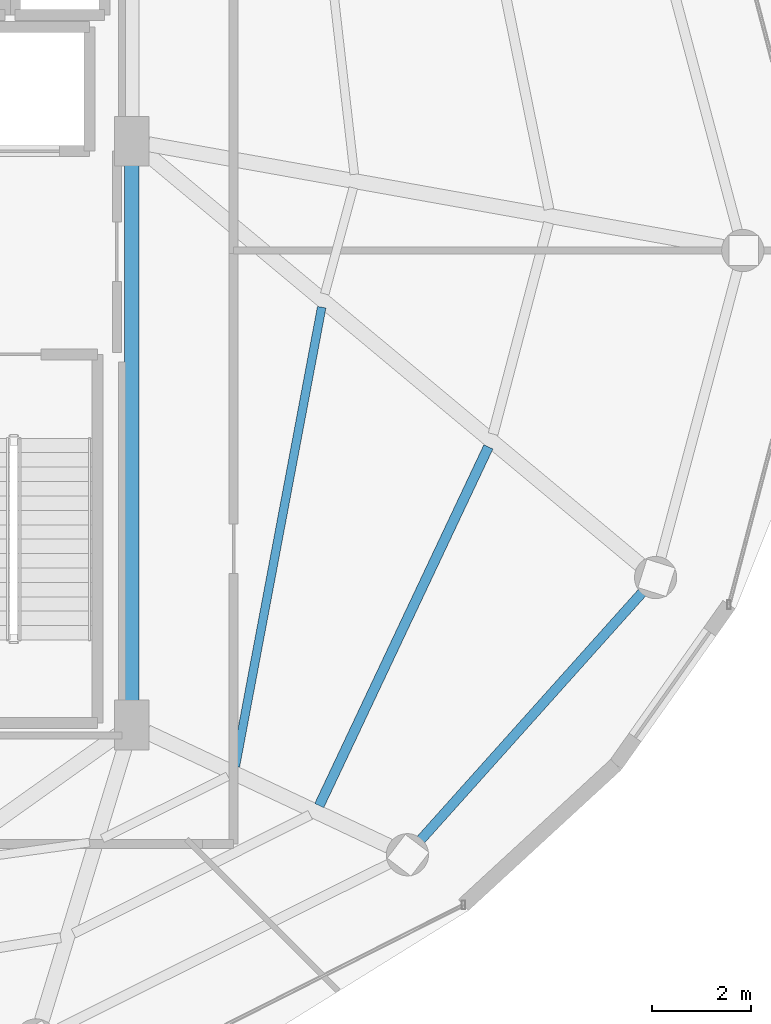
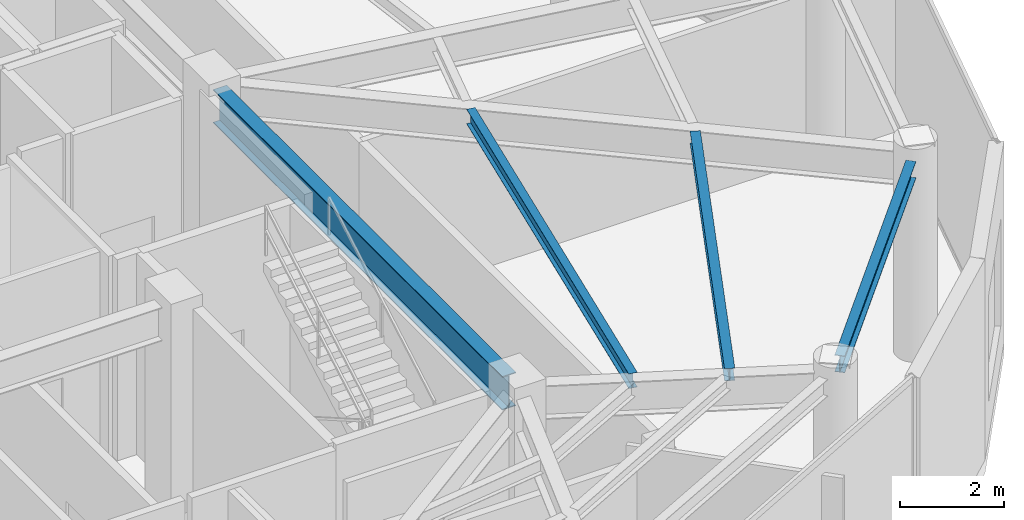
# One storey, part 12 of 24: 4 beams.
"""IFC4 building model written with IfcOpenShell, lengths in metres."""

from ifc_helpers import new_model, si_unit, direction, frame, origin, origin_2d, place, context, subcontext, project, spatial, i_section, extrude, material, material_profile, profile_set, type_object, element, save


model = new_model("IFC4")

# Units and contexts
model_context = context("Model", 3, precision=1e-05, world=origin(), true_north=direction((0.0, 1.0)))
body_context = subcontext(model_context, "Body", "Model", "MODEL_VIEW")
ifc_project = project(units=[si_unit("LENGTHUNIT", "METRE"), si_unit("AREAUNIT", "SQUARE_METRE"), si_unit("VOLUMEUNIT", "CUBIC_METRE"), si_unit("PLANEANGLEUNIT", "RADIAN"), si_unit("MASSUNIT", "GRAM", prefix="KILO")], contexts=[model_context])

# Site, building, storey
site_placement = place(None, origin())
site = spatial("IfcSite", under=ifc_project, at=site_placement, CompositionType="ELEMENT")
building_placement = place(site_placement, origin())
building = spatial("IfcBuilding", under=site, at=building_placement, Name="Vorneva Point Tower", CompositionType="ELEMENT")
storey_placement = place(building_placement, frame((0.0, 0.0, 290.39990234375)))
storey = spatial("IfcBuildingStorey", under=building, at=storey_placement, Name="L78", CompositionType="ELEMENT", Elevation=290.39990234375)

# Beams
ifc_material = material(Name="Steel S355", Category="steel")
ifc_material_profile_1 = material_profile(ifc_material, i_section(OverallWidth=0.300048828125, OverallDepth=0.7880859375, WebThickness=0.014404296875, FlangeThickness=0.02197265625, at=origin_2d()), Name="80Sh1")
ifc_profile_set_1 = profile_set([ifc_material_profile_1], Name="Steel S355")
beam_type_1 = type_object("IfcBeamType", Name="BM-GRD-80Sh1", PredefinedType="USERDEFINED", material=ifc_profile_set_1)
beam_1_placement = place(storey_placement, frame((48.75, 16.77001953125, 4.326171875), z_axis=(0.0, 1.0, 0.0), x_axis=(-1.0, 0.0, 0.0)))
element("IfcBeam", 1, at=beam_1_placement, inside=storey, type_object=beam_type_1, Name="L78 Core Tie Girder CT3", ObjectType="GIRDER", PredefinedType="USERDEFINED", context=body_context, shape_type="SweptSolid", body=[
    extrude(i_section(OverallWidth=0.300048828125, OverallDepth=0.7880859375, WebThickness=0.014404296875, FlangeThickness=0.02197265625, at=origin_2d()), origin(), (0.0, 0.0, 1.0), 11.10986328125),
])
ifc_material_profile_2 = material_profile(ifc_material, i_section(OverallWidth=0.199951171875, OverallDepth=0.291015625, WebThickness=0.008056640625, FlangeThickness=0.010986328125, at=origin_2d()), Name="30Sh1")
ifc_profile_set_2 = profile_set([ifc_material_profile_2], Name="Steel S355")
beam_type_2 = type_object("IfcBeamType", Name="BM-SEC-30Sh1", PredefinedType="BEAM", material=ifc_profile_set_2)
beam_2_placement = place(storey_placement, frame((52.523681640625, 14.825927734375, 4.57470703125), z_axis=(0.426534668543, 0.904471213766, 0.0), x_axis=(-0.904471213766, 0.426534668543, 0.0)))
element("IfcBeam", 2, at=beam_2_placement, inside=storey, type_object=beam_type_2, Name="L78 Secondary Floor Beam 1.15", PredefinedType="BEAM", context=body_context, shape_type="SweptSolid", body=[
    extrude(i_section(OverallWidth=0.199951171875, OverallDepth=0.291015625, WebThickness=0.008056640625, FlangeThickness=0.010986328125, at=origin_2d()), origin(), (0.0, 0.0, 1.0), 7.984130859375),
])
ifc_material_profile_3 = material_profile(ifc_material, i_section(OverallWidth=0.174072265625, OverallDepth=0.345947265625, WebThickness=0.006103515625, FlangeThickness=0.009033203125, at=origin_2d()), Name="35B1")
ifc_profile_set_3 = profile_set([ifc_material_profile_3], Name="Steel S355")
beam_type_3 = type_object("IfcBeamType", Name="BM-SEC-35B1", PredefinedType="BEAM", material=ifc_profile_set_3)
beam_3_placement = place(storey_placement, frame((50.83544921875, 15.615966796875, 4.547119140625), z_axis=(0.184830813221, 0.982770354907, 0.0), x_axis=(-0.982770354907, 0.184830813221, 0.0)))
element("IfcBeam", 3, at=beam_3_placement, inside=storey, type_object=beam_type_3, Name="L78 Secondary Floor Beam 2.15", PredefinedType="BEAM", context=body_context, shape_type="SweptSolid", body=[
    extrude(i_section(OverallWidth=0.174072265625, OverallDepth=0.345947265625, WebThickness=0.006103515625, FlangeThickness=0.009033203125, at=origin_2d()), origin(), (0.0, 0.0, 1.0), 9.40478515625),
])
ifc_material_profile_4 = material_profile(ifc_material, i_section(OverallWidth=0.198974609375, OverallDepth=0.39599609375, WebThickness=0.007080078125, FlangeThickness=0.010986328125, at=origin_2d()), Name="40B1")
ifc_profile_set_4 = profile_set([ifc_material_profile_4], Name="Steel S355")
beam_type_4 = type_object("IfcBeamType", Name="BM-SPN-40B1", PredefinedType="SPANDREL", material=ifc_profile_set_4)
beam_4_placement = place(storey_placement, frame((54.572265625, 14.143310546875, 4.522216796875), z_axis=(0.667108282638, 0.744960763554, 0.0), x_axis=(-0.744960763554, 0.667108282638, 0.0)))
element("IfcBeam", 4, at=beam_4_placement, inside=storey, type_object=beam_type_4, Name="L78 Perimeter Spandrel Ring Beam 15", PredefinedType="SPANDREL", context=body_context, shape_type="SweptSolid", body=[
    extrude(i_section(OverallWidth=0.198974609375, OverallDepth=0.39599609375, WebThickness=0.007080078125, FlangeThickness=0.010986328125, at=origin_2d()), origin(), (0.0, 0.0, 1.0), 6.670166015625),
])

save(model, "model.ifc")
